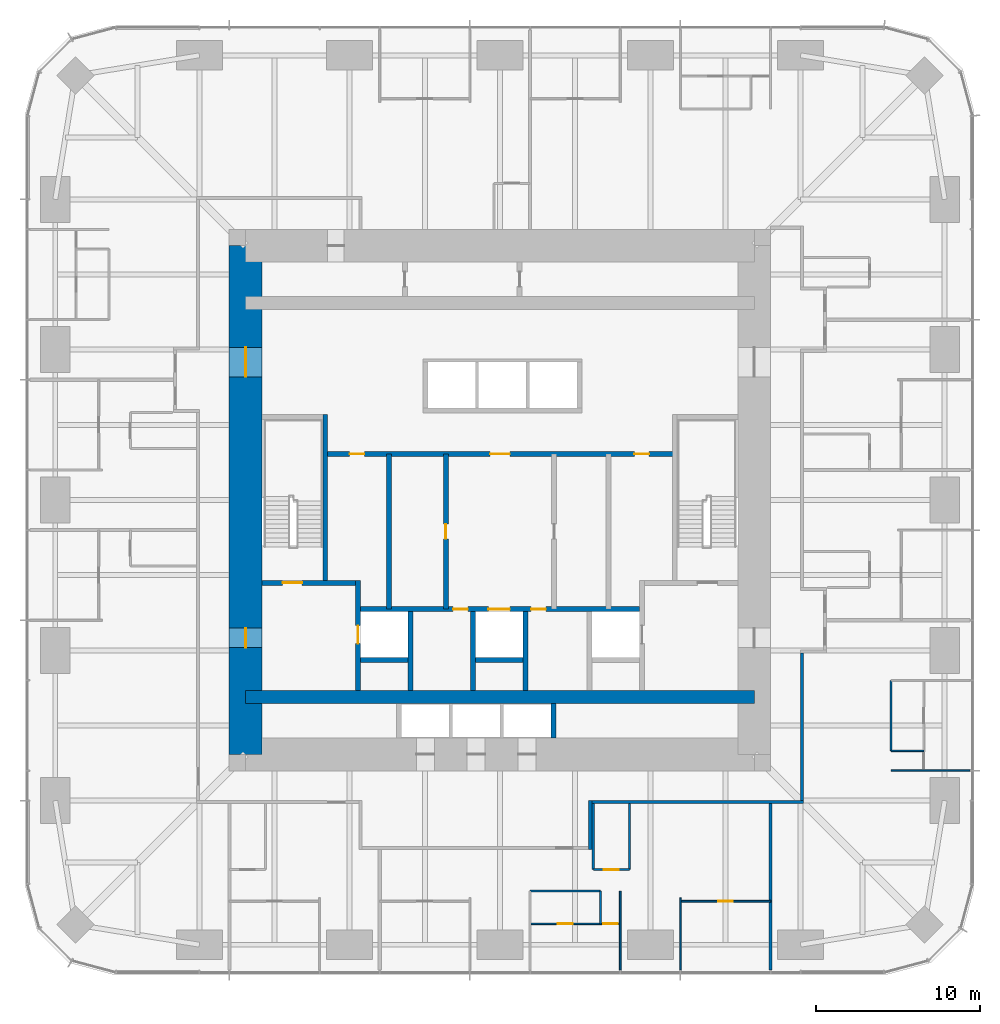
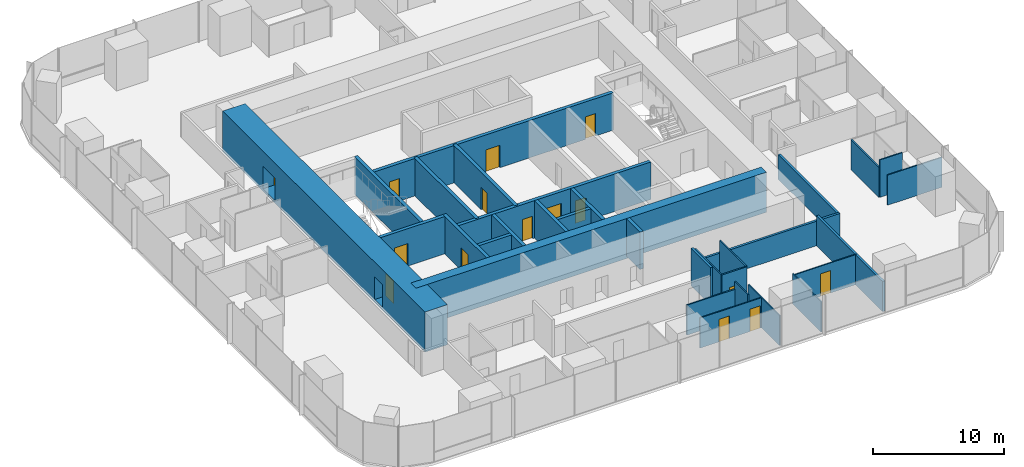
# One storey, part 9 of 13: 31 walls, 15 doors, 15 openings.
"""IFC4 building model written with IfcOpenShell, lengths in metres."""

from ifc_helpers import new_model, si_unit, direction, frame, frame_2d, origin, place, context, subcontext, project, spatial, rectangle, extrude, material, layer, layer_set, type_object, element, fill, save


model = new_model("IFC4")

# Units and contexts
model_context = context("Model", 3, precision=1e-05, world=origin(), true_north=direction((0.0, 1.0)))
body_context = subcontext(model_context, "Body", "Model", "MODEL_VIEW")
ifc_project = project(units=[si_unit("LENGTHUNIT", "METRE"), si_unit("AREAUNIT", "SQUARE_METRE"), si_unit("VOLUMEUNIT", "CUBIC_METRE"), si_unit("PLANEANGLEUNIT", "RADIAN"), si_unit("MASSUNIT", "GRAM", prefix="KILO")], contexts=[model_context])

# Site, building, storey
site_placement = place(None, origin())
site = spatial("IfcSite", under=ifc_project, at=site_placement, CompositionType="ELEMENT")
building_placement = place(site_placement, origin())
building = spatial("IfcBuilding", under=site, at=building_placement, Name="Khuree Lantern Residences", CompositionType="ELEMENT")
storey_placement = place(building_placement, frame((0.0, 0.0, 137.25)))
storey = spatial("IfcBuildingStorey", under=building, at=storey_placement, Name="L34", CompositionType="ELEMENT", Elevation=137.25)

# Wall
ifc_material_1 = material(Name="Moisture-resistant gypsum board on steel studs", Category="steel")
ifc_layer_1 = layer(ifc_material_1, 0.125)
ifc_layer_set_1 = layer_set([ifc_layer_1], Name="BATHROOM WALL BTW125")
wall_type_1 = type_object("IfcWallType", Name="BATHROOM WALL BTW125", PredefinedType="PARTITIONING", material=ifc_layer_set_1)
wall_1_placement = place(storey_placement, frame((1.83203125, -23.829833984375, 0.0), z_axis=(0.0, 0.0, 1.0), x_axis=(1.0, 0.0, 0.0)))
element("IfcWall", 1, at=wall_1_placement, inside=storey, type_object=wall_type_1, Name="L34 BATHROOM WALL 08", PredefinedType="PARTITIONING", context=body_context, shape_type="SweptSolid", body=[
    extrude(rectangle(XDim=4.2958984375, YDim=0.125, at=frame_2d((2.14794921875, 0.0))), origin(), (0.0, 0.0, 1.0), 2.81005859375),
])

# Wall, opening, door
wall_2_placement = place(storey_placement, frame((5.68359375, -22.52978515625, 0.0), z_axis=(0.0, 0.0, 1.0), x_axis=(1.0, 0.0, 0.0)))
wall_2 = element("IfcWall", 2, at=wall_2_placement, inside=storey, type_object=wall_type_1, Name="L34 BATHROOM WALL 08", PredefinedType="PARTITIONING", context=body_context, shape_type="SweptSolid", body=[
    extrude(rectangle(XDim=2.199951171875, YDim=0.125, at=frame_2d((1.10009765625, 0.0))), origin(), (0.0, 0.0, 1.0), 3.5),
])
opening_1_placement = place(wall_2_placement, frame((0.64990234375, 0.0, 0.0)))
opening_1 = element("IfcOpeningElement", 3, at=opening_1_placement, cuts=wall_2, Name="Opening 34-052", PredefinedType="OPENING", context=body_context, shape_type="SweptSolid", body=[
    extrude(rectangle(XDim=0.89990234375, YDim=2.10009765625, at=frame_2d((0.449951171875, 1.050048828125))), frame((0.0, 0.072509765625, 0.0), z_axis=(0.0, -1.0, 0.0), x_axis=(1.0, 0.0, 0.0)), (0.0, 0.0, 1.0), 0.14501953125),
])
ifc_material_2 = material(Name="Timber door leaf in hardwood frame", Category="wood")
door_type_1 = type_object("IfcDoorType", Name="BATHROOM DOOR 900X2100", OperationType="SINGLE_SWING_LEFT", PredefinedType="DOOR", material=ifc_material_2)
door_1_placement = place(opening_1_placement, origin())
door_1 = element("IfcDoor", 4, at=door_1_placement, inside=storey, type_object=door_type_1, Name="Bathroom door 34-052", OperationType="SINGLE_SWING_LEFT", OverallHeight=2.10009765625, OverallWidth=0.89990234375, PredefinedType="DOOR", context=body_context, shape_type="SweptSolid", body=[
    extrude(rectangle(XDim=0.89990234375, YDim=2.10009765625, at=frame_2d((0.449951171875, 1.050048828125))), frame((0.0, 0.02490234375, 0.0), z_axis=(0.0, -1.0, 0.0), x_axis=(1.0, 0.0, 0.0)), (0.0, 0.0, 1.0), 0.050048828125),
])
fill(opening_1, door_1)

# Walls
for number, where, z_axis, x_axis, name in (
    (5, (5.68359375, -18.5, 0.0), (0.0, 0.0, 1.0), (0.0, -1.0, 0.0), "L34 BATHROOM WALL 08"),
    (6, (7.883544921875, -18.5, 0.0), (0.0, 0.0, 1.0), (0.0, -1.0, 0.0), "L34 BATHROOM WALL 08"),
):
    element("IfcWall", number, at=place(storey_placement, frame(where, z_axis=z_axis, x_axis=x_axis)), inside=storey, type_object=wall_type_1, Name=name, PredefinedType="PARTITIONING", context=body_context, shape_type="SweptSolid", body=[
        extrude(rectangle(XDim=4.02978515625, YDim=0.125, at=frame_2d((2.014892578125, 0.0))), origin(), (0.0, 0.0, 1.0), 3.5),
    ])
wall_3_placement = place(storey_placement, frame((23.829833984375, -15.2880859375, 0.0), z_axis=(0.0, 0.0, 1.0), x_axis=(0.0, 1.0, 0.0)))
element("IfcWall", 7, at=wall_3_placement, inside=storey, type_object=wall_type_1, Name="L34 BATHROOM WALL 09", PredefinedType="PARTITIONING", context=body_context, shape_type="SweptSolid", body=[
    extrude(rectangle(XDim=4.296142578125, YDim=0.125, at=frame_2d((2.14794921875, 0.0))), origin(), (0.0, 0.0, 1.0), 2.81005859375),
])

# Wall, opening, door
ifc_material_3 = material(Name="Dense concrete blockwork", Category="masonry")
ifc_layer_2 = layer(ifc_material_3, 0.300048828125)
ifc_layer_set_2 = layer_set([ifc_layer_2], Name="CORE PARTITION WALL CPW300 EI 120")
wall_type_2 = type_object("IfcWallType", Name="CORE PARTITION WALL CPW300 EI 120", PredefinedType="PARTITIONING", material=ifc_layer_set_2)
wall_4_placement = place(storey_placement, frame((-8.64990234375, -11.60009765625, 0.0), z_axis=(0.0, 0.0, 1.0), x_axis=(0.0, 1.0, 0.0)))
wall_4 = element("IfcWall", 8, at=wall_4_placement, inside=storey, type_object=wall_type_2, Name="L34 CORE WALL FL1W", PredefinedType="PARTITIONING", context=body_context, shape_type="SweptSolid", body=[
    extrude(rectangle(XDim=6.7001953125, YDim=0.300048828125, at=frame_2d((3.35009765625, 0.0))), origin(), (0.0, 0.0, 1.0), 3.5),
])
opening_2_placement = place(wall_4_placement, frame((2.85009765625, 0.0, 0.0)))
opening_2 = element("IfcOpeningElement", 9, at=opening_2_placement, cuts=wall_4, Name="Opening 34-007", PredefinedType="OPENING", context=body_context, shape_type="SweptSolid", body=[
    extrude(rectangle(XDim=1.10009765625, YDim=2.10009765625, at=frame_2d((0.550048828125, 1.050048828125))), frame((0.0, 0.16015625, 0.0), z_axis=(0.0, -1.0, 0.0), x_axis=(1.0, 0.0, 0.0)), (0.0, 0.0, 1.0), 0.320068359375),
])
ifc_material_4 = material(Name="Stainless steel lift landing door", Category="steel")
door_type_2 = type_object("IfcDoorType", Name="LIFT LANDING DOOR 1100X2100 E 120", OperationType="DOUBLE_DOOR_SLIDING", PredefinedType="DOOR", material=ifc_material_4)
door_2_placement = place(opening_2_placement, origin())
door_2 = element("IfcDoor", 10, at=door_2_placement, inside=storey, type_object=door_type_2, Name="Landing door FL1 34-007", OperationType="DOUBLE_DOOR_SLIDING", OverallHeight=2.10009765625, OverallWidth=1.10009765625, PredefinedType="DOOR", context=body_context, shape_type="SweptSolid", body=[
    extrude(rectangle(XDim=1.10009765625, YDim=2.10009765625, at=frame_2d((0.550048828125, 1.050048828125))), frame((0.0, 0.02490234375, 0.0), z_axis=(0.0, -1.0, 0.0), x_axis=(1.0, 0.0, 0.0)), (0.0, 0.0, 1.0), 0.050048828125),
])
fill(opening_2, door_2)

# Wall, openings, doors
wall_5_placement = place(storey_placement, frame((-8.5, -6.64990234375, 0.0), z_axis=(0.0, 0.0, 1.0), x_axis=(1.0, 0.0, 0.0)))
wall_5 = element("IfcWall", 11, at=wall_5_placement, inside=storey, type_object=wall_type_2, Name="L34 CORE WALL FLROW", PredefinedType="PARTITIONING", context=body_context, shape_type="SweptSolid", body=[
    extrude(rectangle(XDim=17.0, YDim=0.300048828125, at=frame_2d((8.5, 0.0))), origin(), (0.0, 0.0, 1.0), 3.5),
])
opening_3_placement = place(wall_5_placement, frame((7.800048828125, 0.0, 0.0)))
opening_3 = element("IfcOpeningElement", 12, at=opening_3_placement, cuts=wall_5, Name="Opening 34-012", PredefinedType="OPENING", context=body_context, shape_type="SweptSolid", body=[
    extrude(rectangle(XDim=1.300048828125, YDim=2.39990234375, at=frame_2d((0.64990234375, 1.199951171875))), frame((0.0, 0.16015625, 0.0), z_axis=(0.0, -1.0, 0.0), x_axis=(1.0, 0.0, 0.0)), (0.0, 0.0, 1.0), 0.320068359375),
])
opening_4_placement = place(wall_5_placement, frame((5.64990234375, 0.0, 0.0)))
opening_4 = element("IfcOpeningElement", 13, at=opening_4_placement, cuts=wall_5, Name="Opening 34-014", PredefinedType="OPENING", context=body_context, shape_type="SweptSolid", body=[
    extrude(rectangle(XDim=0.89990234375, YDim=2.10009765625, at=frame_2d((0.449951171875, 1.050048828125))), frame((0.0, 0.16015625, 0.0), z_axis=(0.0, -1.0, 0.0), x_axis=(1.0, 0.0, 0.0)), (0.0, 0.0, 1.0), 0.320068359375),
])
opening_5_placement = place(wall_5_placement, frame((10.39990234375, 0.0, 0.0)))
opening_5 = element("IfcOpeningElement", 14, at=opening_5_placement, cuts=wall_5, Name="Opening 34-015", PredefinedType="OPENING", context=body_context, shape_type="SweptSolid", body=[
    extrude(rectangle(XDim=0.89990234375, YDim=2.10009765625, at=frame_2d((0.449951171875, 1.050048828125))), frame((0.0, 0.16015625, 0.0), z_axis=(0.0, -1.0, 0.0), x_axis=(1.0, 0.0, 0.0)), (0.0, 0.0, 1.0), 0.320068359375),
])
ifc_material_5 = material(Name="Steel door leaf in steel frame", Category="steel")
door_type_3 = type_object("IfcDoorType", Name="DOOR 900X2100 EI 60", OperationType="SINGLE_SWING_LEFT", PredefinedType="DOOR", material=ifc_material_5)
door_3_placement = place(opening_4_placement, origin())
door_3 = element("IfcDoor", 15, at=door_3_placement, inside=storey, type_object=door_type_3, Name="Refuse chute room door 34-014", OperationType="SINGLE_SWING_LEFT", OverallHeight=2.10009765625, OverallWidth=0.89990234375, PredefinedType="DOOR", context=body_context, shape_type="SweptSolid", body=[
    extrude(rectangle(XDim=0.89990234375, YDim=2.10009765625, at=frame_2d((0.449951171875, 1.050048828125))), frame((0.0, 0.02490234375, 0.0), z_axis=(0.0, -1.0, 0.0), x_axis=(1.0, 0.0, 0.0)), (0.0, 0.0, 1.0), 0.050048828125),
])
fill(opening_4, door_3)
door_type_4 = type_object("IfcDoorType", Name="DOOR 900X2100 EI 60 RIGHT HAND", OperationType="SINGLE_SWING_RIGHT", PredefinedType="DOOR", material=ifc_material_5)
door_4_placement = place(opening_5_placement, origin())
door_4 = element("IfcDoor", 16, at=door_4_placement, inside=storey, type_object=door_type_4, Name="Electrical and plumbing riser door 34-015", OperationType="SINGLE_SWING_RIGHT", OverallHeight=2.10009765625, OverallWidth=0.89990234375, PredefinedType="DOOR", context=body_context, shape_type="SweptSolid", body=[
    extrude(rectangle(XDim=0.89990234375, YDim=2.10009765625, at=frame_2d((0.449951171875, 1.050048828125))), frame((0.0, 0.02490234375, 0.0), z_axis=(0.0, -1.0, 0.0), x_axis=(1.0, 0.0, 0.0)), (0.0, 0.0, 1.0), 0.050048828125),
])
fill(opening_5, door_4)
door_type_5 = type_object("IfcDoorType", Name="LIFT LANDING DOOR 1300X2400 E 60", OperationType="DOUBLE_DOOR_SLIDING", PredefinedType="DOOR", material=ifc_material_4)
door_5_placement = place(opening_3_placement, origin())
door_5 = element("IfcDoor", 17, at=door_5_placement, inside=storey, type_object=door_type_5, Name="Landing door SL1 34-012", OperationType="DOUBLE_DOOR_SLIDING", OverallHeight=2.39990234375, OverallWidth=1.300048828125, PredefinedType="DOOR", context=body_context, shape_type="SweptSolid", body=[
    extrude(rectangle(XDim=1.300048828125, YDim=2.39990234375, at=frame_2d((0.64990234375, 1.199951171875))), frame((0.0, 0.02490234375, 0.0), z_axis=(0.0, -1.0, 0.0), x_axis=(1.0, 0.0, 0.0)), (0.0, 0.0, 1.0), 0.050048828125),
])
fill(opening_3, door_5)

# Walls
for number, where, z_axis, x_axis, name in (
    (18, (-5.449951171875, -11.60009765625, 0.0), (0.0, 0.0, 1.0), (0.0, 1.0, 0.0), "L34 CORE WALL FL1E"),
    (19, (-1.64990234375, -11.60009765625, 0.0), (0.0, 0.0, 1.0), (0.0, 1.0, 0.0), "L34 CORE WALL SL1W"),
    (20, (1.550048828125, -11.60009765625, 0.0), (0.0, 0.0, 1.0), (0.0, 1.0, 0.0), "L34 CORE WALL SL1E"),
):
    element("IfcWall", number, at=place(storey_placement, frame(where, z_axis=z_axis, x_axis=x_axis)), inside=storey, type_object=wall_type_2, Name=name, PredefinedType="PARTITIONING", context=body_context, shape_type="SweptSolid", body=[
        extrude(rectangle(XDim=4.800048828125, YDim=0.300048828125, at=frame_2d((2.39990234375, 0.0))), origin(), (0.0, 0.0, 1.0), 3.5),
    ])
for number, where, z_axis, x_axis, name in (
    (21, (-8.5, -9.75, 0.0), (0.0, 0.0, 1.0), (1.0, 0.0, 0.0), "L34 CORE WALL FL1S"),
    (22, (-1.5, -9.75, 0.0), (0.0, 0.0, 1.0), (1.0, 0.0, 0.0), "L34 CORE WALL SL1S"),
):
    element("IfcWall", number, at=place(storey_placement, frame(where, z_axis=z_axis, x_axis=x_axis)), inside=storey, type_object=wall_type_2, Name=name, PredefinedType="PARTITIONING", context=body_context, shape_type="SweptSolid", body=[
        extrude(rectangle(XDim=2.89990234375, YDim=0.300048828125, at=frame_2d((1.449951171875, 0.0))), origin(), (0.0, 0.0, 1.0), 3.5),
    ])
wall_6_placement = place(storey_placement, frame((3.25, -14.5, 0.0), z_axis=(0.0, 0.0, 1.0), x_axis=(0.0, 1.0, 0.0)))
element("IfcWall", 23, at=wall_6_placement, inside=storey, type_object=wall_type_2, Name="L34 CORE WALL PME", PredefinedType="PARTITIONING", context=body_context, shape_type="SweptSolid", body=[
    extrude(rectangle(XDim=2.10009765625, YDim=0.300048828125, at=frame_2d((1.050048828125, 0.0))), origin(), (0.0, 0.0, 1.0), 3.5),
])

# Wall, openings, doors
wall_7_placement = place(storey_placement, frame((-10.64990234375, 2.800048828125, 0.0), z_axis=(0.0, 0.0, 1.0), x_axis=(1.0, 0.0, 0.0)))
wall_7 = element("IfcWall", 24, at=wall_7_placement, inside=storey, type_object=wall_type_2, Name="L34 CORE WALL LLS", PredefinedType="PARTITIONING", context=body_context, shape_type="SweptSolid", body=[
    extrude(rectangle(XDim=21.2998046875, YDim=0.300048828125, at=frame_2d((10.64990234375, 0.0))), origin(), (0.0, 0.0, 1.0), 3.5),
])
opening_6_placement = place(wall_7_placement, frame((10.050048828125, 0.0, 0.0)))
opening_6 = element("IfcOpeningElement", 25, at=opening_6_placement, cuts=wall_7, Name="Opening 34-013", PredefinedType="OPENING", context=body_context, shape_type="SweptSolid", body=[
    extrude(rectangle(XDim=1.199951171875, YDim=2.10009765625, at=frame_2d((0.60009765625, 1.050048828125))), frame((0.0, 0.16015625, 0.0), z_axis=(0.0, -1.0, 0.0), x_axis=(1.0, 0.0, 0.0)), (0.0, 0.0, 1.0), 0.320068359375),
])
opening_7_placement = place(wall_7_placement, frame((1.492919921875, 0.0, 0.0)))
opening_7 = element("IfcOpeningElement", 26, at=opening_7_placement, cuts=wall_7, Name="Opening 34-017", PredefinedType="OPENING", context=body_context, shape_type="SweptSolid", body=[
    extrude(rectangle(XDim=0.89990234375, YDim=2.10009765625, at=frame_2d((0.449951171875, 1.050048828125))), frame((0.0, 0.16015625, 0.0), z_axis=(0.0, -1.0, 0.0), x_axis=(1.0, 0.0, 0.0)), (0.0, 0.0, 1.0), 0.320068359375),
])
opening_8_placement = place(wall_7_placement, frame((18.8359375, 0.0, 0.0)))
opening_8 = element("IfcOpeningElement", 27, at=opening_8_placement, cuts=wall_7, Name="Opening 34-019", PredefinedType="OPENING", context=body_context, shape_type="SweptSolid", body=[
    extrude(rectangle(XDim=0.89990234375, YDim=2.10009765625, at=frame_2d((0.449951171875, 1.050048828125))), frame((0.0, 0.16015625, 0.0), z_axis=(0.0, -1.0, 0.0), x_axis=(1.0, 0.0, 0.0)), (0.0, 0.0, 1.0), 0.320068359375),
])
door_type_6 = type_object("IfcDoorType", Name="DOOR 1200X2100 EI 60", OperationType="SINGLE_SWING_LEFT", PredefinedType="DOOR", material=ifc_material_5)
door_6_placement = place(opening_6_placement, origin())
door_6 = element("IfcDoor", 28, at=door_6_placement, inside=storey, type_object=door_type_6, Name="Service lift lobby door 34-013", OperationType="SINGLE_SWING_LEFT", OverallHeight=2.10009765625, OverallWidth=1.199951171875, PredefinedType="DOOR", context=body_context, shape_type="SweptSolid", body=[
    extrude(rectangle(XDim=1.199951171875, YDim=2.10009765625, at=frame_2d((0.60009765625, 1.050048828125))), frame((0.0, 0.02490234375, 0.0), z_axis=(0.0, -1.0, 0.0), x_axis=(1.0, 0.0, 0.0)), (0.0, 0.0, 1.0), 0.050048828125),
])
fill(opening_6, door_6)
door_type_7 = type_object("IfcDoorType", Name="DOOR 900X2100", OperationType="SINGLE_SWING_LEFT", PredefinedType="DOOR", material=ifc_material_2)
door_7_placement = place(opening_7_placement, origin())
door_7 = element("IfcDoor", 29, at=door_7_placement, inside=storey, type_object=door_type_7, Name="Residents' store door 34-017", OperationType="SINGLE_SWING_LEFT", OverallHeight=2.10009765625, OverallWidth=0.89990234375, PredefinedType="DOOR", context=body_context, shape_type="SweptSolid", body=[
    extrude(rectangle(XDim=0.89990234375, YDim=2.10009765625, at=frame_2d((0.449951171875, 1.050048828125))), frame((0.0, 0.02490234375, 0.0), z_axis=(0.0, -1.0, 0.0), x_axis=(1.0, 0.0, 0.0)), (0.0, 0.0, 1.0), 0.050048828125),
])
fill(opening_7, door_7)
door_type_8 = type_object("IfcDoorType", Name="DOOR 900X2100 RIGHT HAND", OperationType="SINGLE_SWING_RIGHT", PredefinedType="DOOR", material=ifc_material_2)
door_8_placement = place(opening_8_placement, origin())
door_8 = element("IfcDoor", 30, at=door_8_placement, inside=storey, type_object=door_type_8, Name="Residents' store door 34-019", OperationType="SINGLE_SWING_RIGHT", OverallHeight=2.10009765625, OverallWidth=0.89990234375, PredefinedType="DOOR", context=body_context, shape_type="SweptSolid", body=[
    extrude(rectangle(XDim=0.89990234375, YDim=2.10009765625, at=frame_2d((0.449951171875, 1.050048828125))), frame((0.0, 0.02490234375, 0.0), z_axis=(0.0, -1.0, 0.0), x_axis=(1.0, 0.0, 0.0)), (0.0, 0.0, 1.0), 0.050048828125),
])
fill(opening_8, door_8)

# Wall, opening, door
wall_8_placement = place(storey_placement, frame((-3.300048828125, -6.64990234375, 0.0), z_axis=(0.0, 0.0, 1.0), x_axis=(0.0, 1.0, 0.0)))
wall_8 = element("IfcWall", 31, at=wall_8_placement, inside=storey, type_object=wall_type_2, Name="L34 CORE WALL SVW", PredefinedType="PARTITIONING", context=body_context, shape_type="SweptSolid", body=[
    extrude(rectangle(XDim=9.449951171875, YDim=0.300048828125, at=frame_2d((4.72509765625, 0.0))), origin(), (0.0, 0.0, 1.0), 3.5),
])
opening_9_placement = place(wall_8_placement, frame((4.27490234375, 0.0, 0.0)))
opening_9 = element("IfcOpeningElement", 32, at=opening_9_placement, cuts=wall_8, Name="Opening 34-016", PredefinedType="OPENING", context=body_context, shape_type="SweptSolid", body=[
    extrude(rectangle(XDim=0.89990234375, YDim=2.10009765625, at=frame_2d((0.449951171875, 1.050048828125))), frame((0.0, 0.16015625, 0.0), z_axis=(0.0, -1.0, 0.0), x_axis=(1.0, 0.0, 0.0)), (0.0, 0.0, 1.0), 0.320068359375),
])
door_9_placement = place(opening_9_placement, origin())
door_9 = element("IfcDoor", 33, at=door_9_placement, inside=storey, type_object=door_type_7, Name="Residents' store door 34-016", OperationType="SINGLE_SWING_LEFT", OverallHeight=2.10009765625, OverallWidth=0.89990234375, PredefinedType="DOOR", context=body_context, shape_type="SweptSolid", body=[
    extrude(rectangle(XDim=0.89990234375, YDim=2.10009765625, at=frame_2d((0.449951171875, 1.050048828125))), frame((0.0, 0.02490234375, 0.0), z_axis=(0.0, -1.0, 0.0), x_axis=(1.0, 0.0, 0.0)), (0.0, 0.0, 1.0), 0.050048828125),
])
fill(opening_9, door_9)

# Walls
wall_9_placement = place(storey_placement, frame((-6.763916015625, -6.64990234375, 0.0), z_axis=(0.0, 0.0, 1.0), x_axis=(0.0, 1.0, 0.0)))
element("IfcWall", 34, at=wall_9_placement, inside=storey, type_object=wall_type_2, Name="L34 CORE WALL WV", PredefinedType="PARTITIONING", context=body_context, shape_type="SweptSolid", body=[
    extrude(rectangle(XDim=9.449951171875, YDim=0.300048828125, at=frame_2d((4.72509765625, 0.0))), origin(), (0.0, 0.0, 1.0), 3.5),
])
ifc_material_6 = material(Name="Gypsum board on steel studs", Category="steel")
ifc_layer_3 = layer(ifc_material_6, 0.199951171875)
ifc_layer_set_3 = layer_set([ifc_layer_3], Name="CORRIDOR WALL CRW200 EI 60")
wall_type_3 = type_object("IfcWallType", Name="CORRIDOR WALL CRW200 EI 60", PredefinedType="PARTITIONING", material=ifc_layer_set_3)
wall_10_placement = place(storey_placement, frame((18.39990234375, -18.300048828125, 0.0), z_axis=(0.0, 0.0, 1.0), x_axis=(0.0, 1.0, 0.0)))
element("IfcWall", 35, at=wall_10_placement, inside=storey, type_object=wall_type_3, Name="L34 CORRIDOR WALL EAST 1", PredefinedType="PARTITIONING", context=body_context, shape_type="SweptSolid", body=[
    extrude(rectangle(XDim=8.97216796875, YDim=0.199951171875, at=frame_2d((4.486083984375, 0.0))), origin(), (0.0, 0.0, 1.0), 2.300048828125),
])
wall_11_placement = place(storey_placement, frame((18.5, -18.39990234375, 0.0), z_axis=(0.0, 0.0, 1.0), x_axis=(-1.0, 0.0, 0.0)))
element("IfcWall", 36, at=wall_11_placement, inside=storey, type_object=wall_type_3, Name="L34 CORRIDOR WALL SOUTH 1", PredefinedType="PARTITIONING", context=body_context, shape_type="SweptSolid", body=[
    extrude(rectangle(XDim=12.89990234375, YDim=0.199951171875, at=frame_2d((6.449951171875, 0.0))), origin(), (0.0, 0.0, 1.0), 2.300048828125),
])
wall_12_placement = place(storey_placement, frame((5.5, -18.300048828125, 0.0), z_axis=(0.0, 0.0, 1.0), x_axis=(0.0, -1.0, 0.0)))
element("IfcWall", 37, at=wall_12_placement, inside=storey, type_object=wall_type_3, Name="L34 LIFT LOBBY WALL", PredefinedType="PARTITIONING", context=body_context, shape_type="SweptSolid", body=[
    extrude(rectangle(XDim=3.0, YDim=0.199951171875, at=frame_2d((1.5, 0.0))), origin(), (0.0, 0.0, 1.0), 3.5),
])

# Wall, openings, doors
ifc_material_7 = material(Name="Concrete C70/85", Category="concrete")
ifc_layer_4 = layer(ifc_material_7, 2.0)
ifc_layer_set_4 = layer_set([ifc_layer_4], Name="CW2000-C70 CORE WALL C70 2000")
wall_type_4 = type_object("IfcWallType", Name="CW2000-C70 CORE WALL C70 2000", PredefinedType="SHEAR", material=ifc_layer_set_4)
wall_13_placement = place(storey_placement, frame((-15.5, -15.5, -0.25), z_axis=(0.0, 0.0, 1.0), x_axis=(0.0, 1.0, 0.0)))
wall_13 = element("IfcWall", 38, at=wall_13_placement, inside=storey, type_object=wall_type_4, Name="Core wall W", PredefinedType="SHEAR", context=body_context, shape_type="SweptSolid", body=[
    extrude(rectangle(XDim=31.0, YDim=2.0, at=frame_2d((15.5, 0.0))), origin(), (0.0, 0.0, 1.0), 3.75),
])
opening_10_placement = place(wall_13_placement, frame((6.5, 0.0, 0.25)))
opening_10 = element("IfcOpeningElement", 39, at=opening_10_placement, cuts=wall_13, Name="Opening 34-002", PredefinedType="OPENING", context=body_context, shape_type="SweptSolid", body=[
    extrude(rectangle(XDim=1.199951171875, YDim=2.10009765625, at=frame_2d((0.60009765625, 1.050048828125))), frame((0.0, 1.010009765625, 0.0), z_axis=(0.0, -1.0, 0.0), x_axis=(1.0, 0.0, 0.0)), (0.0, 0.0, 1.0), 2.02001953125),
])
opening_11_placement = place(wall_13_placement, frame((23.0, 0.0, 0.25)))
opening_11 = element("IfcOpeningElement", 40, at=opening_11_placement, cuts=wall_13, Name="Opening 34-003", PredefinedType="OPENING", context=body_context, shape_type="SweptSolid", body=[
    extrude(rectangle(XDim=1.800048828125, YDim=2.10009765625, at=frame_2d((0.89990234375, 1.050048828125))), frame((0.0, 1.010009765625, 0.0), z_axis=(0.0, -1.0, 0.0), x_axis=(1.0, 0.0, 0.0)), (0.0, 0.0, 1.0), 2.02001953125),
])
door_type_9 = type_object("IfcDoorType", Name="LOBBY DOOR 1200X2100 EI 120", OperationType="SINGLE_SWING_LEFT", PredefinedType="DOOR", material=ifc_material_5)
door_10_placement = place(opening_10_placement, origin())
door_10 = element("IfcDoor", 41, at=door_10_placement, inside=storey, type_object=door_type_9, Name="Firefighting lobby door 34-002", OperationType="SINGLE_SWING_LEFT", OverallHeight=2.10009765625, OverallWidth=1.199951171875, PredefinedType="DOOR", context=body_context, shape_type="SweptSolid", body=[
    extrude(rectangle(XDim=1.199951171875, YDim=2.10009765625, at=frame_2d((0.60009765625, 1.050048828125))), frame((0.0, 0.02490234375, 0.0), z_axis=(0.0, -1.0, 0.0), x_axis=(1.0, 0.0, 0.0)), (0.0, 0.0, 1.0), 0.050048828125),
])
fill(opening_10, door_10)
door_type_10 = type_object("IfcDoorType", Name="LOBBY DOUBLE DOOR 1800X2100 EI 60", OperationType="DOUBLE_DOOR_SINGLE_SWING", PredefinedType="DOOR", material=ifc_material_5)
door_11_placement = place(opening_11_placement, origin())
door_11 = element("IfcDoor", 42, at=door_11_placement, inside=storey, type_object=door_type_10, Name="Lift lobby door 34-003", OperationType="DOUBLE_DOOR_SINGLE_SWING", OverallHeight=2.10009765625, OverallWidth=1.800048828125, PredefinedType="DOOR", context=body_context, shape_type="SweptSolid", body=[
    extrude(rectangle(XDim=1.800048828125, YDim=2.10009765625, at=frame_2d((0.89990234375, 1.050048828125))), frame((0.0, 0.02490234375, 0.0), z_axis=(0.0, -1.0, 0.0), x_axis=(1.0, 0.0, 0.0)), (0.0, 0.0, 1.0), 0.050048828125),
])
fill(opening_11, door_11)

# Walls
ifc_layer_5 = layer(ifc_material_6, 0.199951171875)
ifc_layer_set_5 = layer_set([ifc_layer_5], Name="DEMISING WALL DMW200 EI 90")
wall_type_5 = type_object("IfcWallType", Name="DEMISING WALL DMW200 EI 90", PredefinedType="PARTITIONING", material=ifc_layer_set_5)
wall_14_placement = place(storey_placement, frame((16.488037109375, -18.5, 0.0), z_axis=(0.0, 0.0, 1.0), x_axis=(0.0, -1.0, 0.0)))
element("IfcWall", 43, at=wall_14_placement, inside=storey, type_object=wall_type_5, Name="L34 DEMISING WALL 09", PredefinedType="PARTITIONING", context=body_context, shape_type="SweptSolid", body=[
    extrude(rectangle(XDim=10.14990234375, YDim=0.199951171875, at=frame_2d((5.074951171875, 0.0))), origin(), (0.0, 0.0, 1.0), 2.81005859375),
])
ifc_layer_6 = layer(ifc_material_6, 0.10009765625)
ifc_layer_set_6 = layer_set([ifc_layer_6], Name="PARTITION PT100")
wall_type_6 = type_object("IfcWallType", Name="PARTITION PT100", PredefinedType="PARTITIONING", material=ifc_layer_set_6)
wall_15_placement = place(storey_placement, frame((7.327880859375, -23.829833984375, 0.0), z_axis=(0.0, 0.0, 1.0), x_axis=(0.0, -1.0, 0.0)))
element("IfcWall", 44, at=wall_15_placement, inside=storey, type_object=wall_type_6, Name="L34 PARTITION 08", PredefinedType="PARTITIONING", context=body_context, shape_type="SweptSolid", body=[
    extrude(rectangle(XDim=4.820068359375, YDim=0.10009765625, at=frame_2d((2.41015625, 0.0))), origin(), (0.0, 0.0, 1.0), 2.81005859375),
])
wall_16_placement = place(storey_placement, frame((10.991943359375, -24.25, 0.0), z_axis=(0.0, 0.0, 1.0), x_axis=(0.0, -1.0, 0.0)))
element("IfcWall", 45, at=wall_16_placement, inside=storey, type_object=wall_type_6, Name="L34 PARTITION 08", PredefinedType="PARTITIONING", context=body_context, shape_type="SweptSolid", body=[
    extrude(rectangle(XDim=4.39990234375, YDim=0.10009765625, at=frame_2d((2.199951171875, 0.0))), origin(), (0.0, 0.0, 1.0), 2.81005859375),
])
wall_17_placement = place(storey_placement, frame((23.829833984375, -16.488037109375, 0.0), z_axis=(0.0, 0.0, 1.0), x_axis=(1.0, 0.0, 0.0)))
element("IfcWall", 46, at=wall_17_placement, inside=storey, type_object=wall_type_6, Name="L34 PARTITION 09", PredefinedType="PARTITIONING", context=body_context, shape_type="SweptSolid", body=[
    extrude(rectangle(XDim=4.820068359375, YDim=0.10009765625, at=frame_2d((2.41015625, 0.0))), origin(), (0.0, 0.0, 1.0), 2.81005859375),
])

# Wall, openings, doors
wall_18_placement = place(storey_placement, frame((1.83203125, -25.829833984375, 0.0), z_axis=(0.0, 0.0, 1.0), x_axis=(1.0, 0.0, 0.0)))
wall_18 = element("IfcWall", 47, at=wall_18_placement, inside=storey, type_object=wall_type_6, Name="L34 PARTITION 08", PredefinedType="PARTITIONING", context=body_context, shape_type="SweptSolid", body=[
    extrude(rectangle(XDim=5.495849609375, YDim=0.10009765625, at=frame_2d((2.748046875, 0.0))), origin(), (0.0, 0.0, 1.0), 2.81005859375),
])
opening_12_placement = place(wall_18_placement, frame((4.446044921875, 0.0, 0.0)))
opening_12 = element("IfcOpeningElement", 48, at=opening_12_placement, cuts=wall_18, Name="Opening 34-049", PredefinedType="OPENING", context=body_context, shape_type="SweptSolid", body=[
    extrude(rectangle(XDim=0.89990234375, YDim=2.10009765625, at=frame_2d((0.449951171875, 1.050048828125))), frame((0.0, 0.06005859375, 0.0), z_axis=(0.0, -1.0, 0.0), x_axis=(1.0, 0.0, 0.0)), (0.0, 0.0, 1.0), 0.1201171875),
])
opening_13_placement = place(wall_18_placement, frame((1.697998046875, 0.0, 0.0)))
opening_13 = element("IfcOpeningElement", 49, at=opening_13_placement, cuts=wall_18, Name="Opening 34-050", PredefinedType="OPENING", context=body_context, shape_type="SweptSolid", body=[
    extrude(rectangle(XDim=0.89990234375, YDim=2.10009765625, at=frame_2d((0.449951171875, 1.050048828125))), frame((0.0, 0.06005859375, 0.0), z_axis=(0.0, -1.0, 0.0), x_axis=(1.0, 0.0, 0.0)), (0.0, 0.0, 1.0), 0.1201171875),
])
door_12_placement = place(opening_13_placement, origin())
door_12 = element("IfcDoor", 50, at=door_12_placement, inside=storey, type_object=door_type_1, Name="Bathroom door 34-050", OperationType="SINGLE_SWING_LEFT", OverallHeight=2.10009765625, OverallWidth=0.89990234375, PredefinedType="DOOR", context=body_context, shape_type="SweptSolid", body=[
    extrude(rectangle(XDim=0.89990234375, YDim=2.10009765625, at=frame_2d((0.449951171875, 1.050048828125))), frame((0.0, 0.02490234375, 0.0), z_axis=(0.0, -1.0, 0.0), x_axis=(1.0, 0.0, 0.0)), (0.0, 0.0, 1.0), 0.050048828125),
])
fill(opening_13, door_12)
door_type_11 = type_object("IfcDoorType", Name="BEDROOM DOOR 900X2100", OperationType="SINGLE_SWING_LEFT", PredefinedType="DOOR", material=ifc_material_2)
door_13_placement = place(opening_12_placement, origin())
door_13 = element("IfcDoor", 51, at=door_13_placement, inside=storey, type_object=door_type_11, Name="Bedroom door 34-049", OperationType="SINGLE_SWING_LEFT", OverallHeight=2.10009765625, OverallWidth=0.89990234375, PredefinedType="DOOR", context=body_context, shape_type="SweptSolid", body=[
    extrude(rectangle(XDim=0.89990234375, YDim=2.10009765625, at=frame_2d((0.449951171875, 1.050048828125))), frame((0.0, 0.02490234375, 0.0), z_axis=(0.0, -1.0, 0.0), x_axis=(1.0, 0.0, 0.0)), (0.0, 0.0, 1.0), 0.050048828125),
])
fill(opening_12, door_13)

# Wall
wall_19_placement = place(storey_placement, frame((6.1279296875, -23.829833984375, 0.0), z_axis=(0.0, 0.0, 1.0), x_axis=(0.0, -1.0, 0.0)))
element("IfcWall", 52, at=wall_19_placement, inside=storey, type_object=wall_type_6, Name="L34 PARTITION 08", PredefinedType="PARTITIONING", context=body_context, shape_type="SweptSolid", body=[
    extrude(rectangle(XDim=2.0, YDim=0.10009765625, at=frame_2d((1.0, 0.0))), origin(), (0.0, 0.0, 1.0), 3.5),
])

# Wall, opening, door
wall_20_placement = place(storey_placement, frame((10.991943359375, -24.449951171875, 0.0), z_axis=(0.0, 0.0, 1.0), x_axis=(1.0, 0.0, 0.0)))
wall_20 = element("IfcWall", 53, at=wall_20_placement, inside=storey, type_object=wall_type_6, Name="L34 PARTITION 08", PredefinedType="PARTITIONING", context=body_context, shape_type="SweptSolid", body=[
    extrude(rectangle(XDim=5.49609375, YDim=0.10009765625, at=frame_2d((2.748046875, 0.0))), origin(), (0.0, 0.0, 1.0), 2.81005859375),
])
opening_14_placement = place(wall_20_placement, frame((2.298095703125, 0.0, 0.0)))
opening_14 = element("IfcOpeningElement", 54, at=opening_14_placement, cuts=wall_20, Name="Opening 34-051", PredefinedType="OPENING", context=body_context, shape_type="SweptSolid", body=[
    extrude(rectangle(XDim=0.89990234375, YDim=2.10009765625, at=frame_2d((0.449951171875, 1.050048828125))), frame((0.0, 0.06005859375, 0.0), z_axis=(0.0, -1.0, 0.0), x_axis=(1.0, 0.0, 0.0)), (0.0, 0.0, 1.0), 0.1201171875),
])
door_type_12 = type_object("IfcDoorType", Name="BEDROOM DOOR 900X2100 RIGHT HAND", OperationType="SINGLE_SWING_RIGHT", PredefinedType="DOOR", material=ifc_material_2)
door_14_placement = place(opening_14_placement, origin())
door_14 = element("IfcDoor", 55, at=door_14_placement, inside=storey, type_object=door_type_12, Name="Bedroom door 34-051", OperationType="SINGLE_SWING_RIGHT", OverallHeight=2.10009765625, OverallWidth=0.89990234375, PredefinedType="DOOR", context=body_context, shape_type="SweptSolid", body=[
    extrude(rectangle(XDim=0.89990234375, YDim=2.10009765625, at=frame_2d((0.449951171875, 1.050048828125))), frame((0.0, 0.02490234375, 0.0), z_axis=(0.0, -1.0, 0.0), x_axis=(1.0, 0.0, 0.0)), (0.0, 0.0, 1.0), 0.050048828125),
])
fill(opening_14, door_14)

# Walls
wall_21_placement = place(storey_placement, frame((23.829833984375, -15.2880859375, 0.0), z_axis=(0.0, 0.0, 1.0), x_axis=(1.0, 0.0, 0.0)))
element("IfcWall", 56, at=wall_21_placement, inside=storey, type_object=wall_type_6, Name="L34 PARTITION 09", PredefinedType="PARTITIONING", context=body_context, shape_type="SweptSolid", body=[
    extrude(rectangle(XDim=2.0, YDim=0.10009765625, at=frame_2d((1.0, 0.0))), origin(), (0.0, 0.0, 1.0), 3.5),
])
ifc_layer_7 = layer(ifc_material_7, 0.800048828125)
ifc_layer_set_7 = layer_set([ifc_layer_7], Name="SP800-C70 CORE SPINE WALL C70 800")
wall_type_7 = type_object("IfcWallType", Name="SP800-C70 CORE SPINE WALL C70 800", PredefinedType="SHEAR", material=ifc_layer_set_7)
wall_22_placement = place(storey_placement, frame((-15.5, -12.0, -0.25), z_axis=(0.0, 0.0, 1.0), x_axis=(1.0, 0.0, 0.0)))
element("IfcWall", 57, at=wall_22_placement, inside=storey, type_object=wall_type_7, Name="Core wall SPS", PredefinedType="SHEAR", context=body_context, shape_type="SweptSolid", body=[
    extrude(rectangle(XDim=31.0, YDim=0.800048828125, at=frame_2d((15.5, 0.0))), origin(), (0.0, 0.0, 1.0), 3.75),
])
ifc_material_8 = material(Name="Concrete C50/60", Category="concrete")
ifc_layer_8 = layer(ifc_material_8, 0.300048828125)
ifc_layer_set_8 = layer_set([ifc_layer_8], Name="STAIR WALL SRW300 C50/60 REI 240")
wall_type_8 = type_object("IfcWallType", Name="STAIR WALL SRW300 C50/60 REI 240", PredefinedType="SOLIDWALL", material=ifc_layer_set_8)
wall_23_placement = place(storey_placement, frame((-10.64990234375, -4.89990234375, 0.0), z_axis=(0.0, 0.0, 1.0), x_axis=(0.0, 1.0, 0.0)))
element("IfcWall", 58, at=wall_23_placement, inside=storey, type_object=wall_type_8, Name="L34 STAIR WALL ST1E", PredefinedType="SOLIDWALL", context=body_context, shape_type="SweptSolid", body=[
    extrude(rectangle(XDim=10.099853515625, YDim=0.300048828125, at=frame_2d((5.0498046875, 0.0))), origin(), (0.0, 0.0, 1.0), 3.5),
])

# Wall, opening, door
wall_24_placement = place(storey_placement, frame((-14.5, -5.050048828125, 0.0), z_axis=(0.0, 0.0, 1.0), x_axis=(1.0, 0.0, 0.0)))
wall_24 = element("IfcWall", 59, at=wall_24_placement, inside=storey, type_object=wall_type_8, Name="L34 STAIR WALL ST1S", PredefinedType="SOLIDWALL", context=body_context, shape_type="SweptSolid", body=[
    extrude(rectangle(XDim=5.699951171875, YDim=0.300048828125, at=frame_2d((2.85009765625, 0.0))), origin(), (0.0, 0.0, 1.0), 3.5),
])
opening_15_placement = place(wall_24_placement, frame((1.25, 0.0, 0.0)))
opening_15 = element("IfcOpeningElement", 60, at=opening_15_placement, cuts=wall_24, Name="Opening 34-001", PredefinedType="OPENING", context=body_context, shape_type="SweptSolid", body=[
    extrude(rectangle(XDim=1.199951171875, YDim=2.10009765625, at=frame_2d((0.60009765625, 1.050048828125))), frame((0.0, 0.16015625, 0.0), z_axis=(0.0, -1.0, 0.0), x_axis=(1.0, 0.0, 0.0)), (0.0, 0.0, 1.0), 0.320068359375),
])
door_type_13 = type_object("IfcDoorType", Name="STAIR DOOR 1200X2100 EI 120", OperationType="SINGLE_SWING_LEFT", PredefinedType="DOOR", material=ifc_material_5)
door_15_placement = place(opening_15_placement, origin())
door_15 = element("IfcDoor", 61, at=door_15_placement, inside=storey, type_object=door_type_13, Name="Stair ST1 door 34-001", OperationType="SINGLE_SWING_LEFT", OverallHeight=2.10009765625, OverallWidth=1.199951171875, PredefinedType="DOOR", context=body_context, shape_type="SweptSolid", body=[
    extrude(rectangle(XDim=1.199951171875, YDim=2.10009765625, at=frame_2d((0.60009765625, 1.050048828125))), frame((0.0, 0.02490234375, 0.0), z_axis=(0.0, -1.0, 0.0), x_axis=(1.0, 0.0, 0.0)), (0.0, 0.0, 1.0), 0.050048828125),
])
fill(opening_15, door_15)

save(model, "model.ifc")
